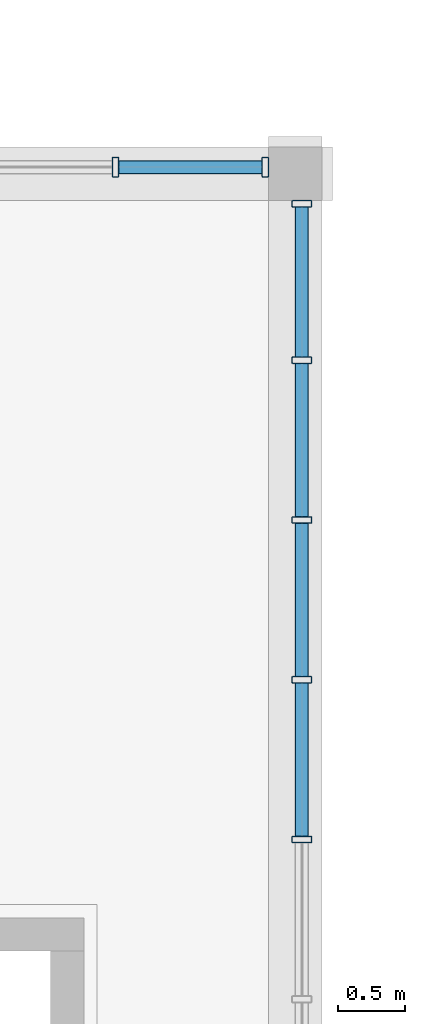
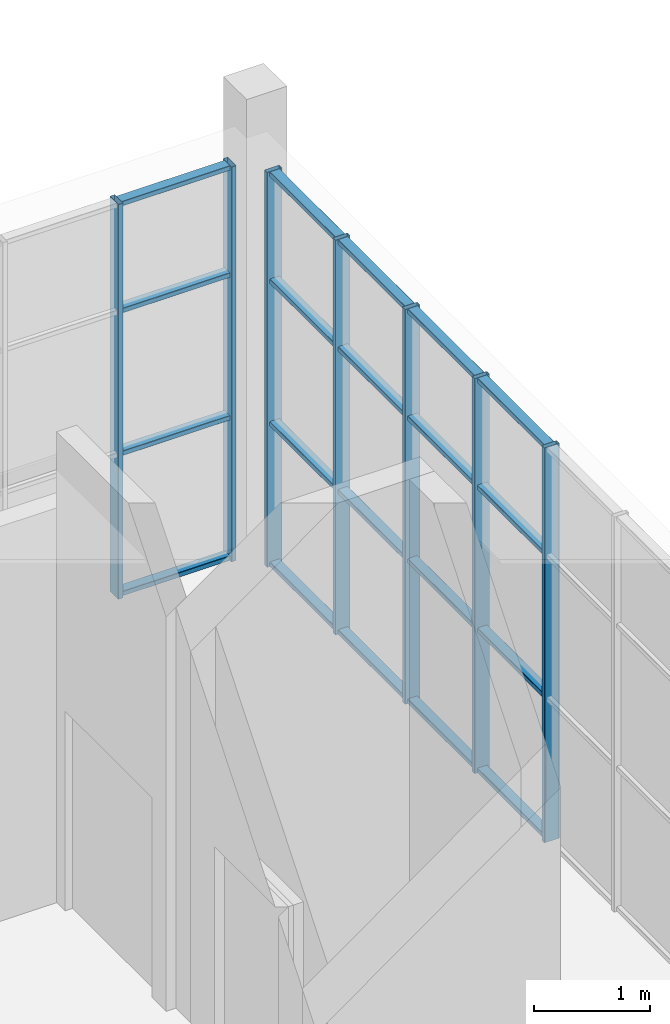
# One storey, part 40 of 125: 27 members, 2 elements without a shape of their own.
"""IFC4 building model written with IfcOpenShell, lengths in metres."""

import ifcopenshell
import ifcopenshell.guid

model = None  # the IFC model being written
_history = None  # IfcOwnerHistory: only IFC2X3 demands one
_inside = {}  # id of a spatial element -> (the spatial element, [elements in it])
_under = {}  # id of a project, library or spatial element -> (it, [spatial elements below it])
_declared = {}  # id of a project -> (the project, [libraries it declares])
_typed = {}  # id of a type object -> (the type object, [elements of that type])
_made_of = {}  # id of a material, layer set ... -> (it, [elements and type objects made of it])


def new_model(schema):
    """Start an empty IFC model of exactly this schema.

    Asked for "IFC4X3", IfcOpenShell would pick the latest addendum, in which some entities
    have other attributes; the version numbers below select the first issue.
    IFC2X3 requires an IfcOwnerHistory on every rooted entity: one is made here for all.
    """
    global model, _history
    if schema == "IFC4X3":
        model = ifcopenshell.file(schema_version=(4, 3, 0, 0))
    else:
        model = ifcopenshell.file(schema=schema)
    _inside.clear()
    _under.clear()
    _declared.clear()
    _typed.clear()
    _made_of.clear()
    _history = None
    if model.schema == "IFC2X3":
        org = make("IfcOrganization", Name="unknown")
        user = make(
            "IfcPersonAndOrganization",
            ThePerson=make("IfcPerson", FamilyName="unknown"),
            TheOrganization=org,
        )
        app = make(
            "IfcApplication",
            ApplicationDeveloper=org,
            Version="unknown",
            ApplicationFullName="unknown",
            ApplicationIdentifier="unknown",
        )
        _history = make(
            "IfcOwnerHistory",
            OwningUser=user,
            OwningApplication=app,
            ChangeAction="ADDED",
            CreationDate=0,
        )
    return model


def make(cls, **values):
    """One entity of the class cls with the attributes given. An attribute that is None is left unset."""
    return model.create_entity(
        cls, **{name: value for name, value in values.items() if value is not None}
    )


def rooted(cls, **values):
    """An entity with a GlobalId (a new one), such as an element, a storey or a relation."""
    return make(cls, GlobalId=ifcopenshell.guid.new(), OwnerHistory=_history, **values)


def si_unit(unit_type, name, prefix=None):
    """IfcSIUnit, for example si_unit("LENGTHUNIT", "METRE", prefix="MILLI")."""
    return make("IfcSIUnit", UnitType=unit_type, Prefix=prefix, Name=name)


def assignment(units):
    """IfcUnitAssignment: the units of a project."""
    return None if units is None else make("IfcUnitAssignment", Units=units)


def point(xyz):
    """IfcCartesianPoint."""
    return None if xyz is None else make("IfcCartesianPoint", Coordinates=xyz)


def direction(xyz):
    """IfcDirection."""
    return None if xyz is None else make("IfcDirection", DirectionRatios=xyz)


def frame(location, z_axis=None, x_axis=None):
    """IfcAxis2Placement3D, a coordinate frame: its origin and axes. An axis left out is left unset."""
    return make(
        "IfcAxis2Placement3D",
        Location=point(location),
        Axis=direction(z_axis),
        RefDirection=direction(x_axis),
    )


def frame_2d(location, x_axis=None):
    """IfcAxis2Placement2D, a coordinate frame in the plane: its origin and x axis."""
    return make(
        "IfcAxis2Placement2D", Location=point(location), RefDirection=direction(x_axis)
    )


def origin():
    """The frame at (0, 0, 0) with its axes left unset."""
    return frame((0.0, 0.0, 0.0))


def origin_2d():
    """The frame at (0, 0) in the plane with its x axis left unset."""
    return frame_2d((0.0, 0.0))


def place(relative_to, where):
    """IfcLocalPlacement: puts the frame where relative to a parent placement (None: the world)."""
    return make(
        "IfcLocalPlacement", PlacementRelTo=relative_to, RelativePlacement=where
    )


def context(
    kind, dimensions, precision=None, world=None, true_north=None, identifier=None
):
    """IfcGeometricRepresentationContext, for example the 3D "Model" context."""
    return make(
        "IfcGeometricRepresentationContext",
        ContextIdentifier=identifier,
        ContextType=kind,
        CoordinateSpaceDimension=dimensions,
        Precision=precision,
        WorldCoordinateSystem=world,
        TrueNorth=true_north,
    )


def subcontext(parent, identifier, kind, view, scale=None):
    """IfcGeometricRepresentationSubContext, for example "Body" below "Model"."""
    return make(
        "IfcGeometricRepresentationSubContext",
        ContextIdentifier=identifier,
        ContextType=kind,
        ParentContext=parent,
        TargetScale=scale,
        TargetView=view,
    )


def project(units=None, contexts=None):
    """IfcProject with its units and contexts."""
    return rooted(
        "IfcProject",
        Name="project",
        RepresentationContexts=contexts,
        UnitsInContext=assignment(units),
    )


def spatial(cls, under=None, at=None, **own):
    """A site, building, storey or space (cls), placed at a placement, below another one or the project."""
    s = rooted(cls, ObjectPlacement=at, **own)
    if under is not None:
        _under.setdefault(under.id(), (under, []))[1].append(s)
    return s


def profile(cls, at=None, kind="AREA", **sizes):
    """A parametric profile (cls). Its sizes go by their IFC names, for example OverallWidth=200.0."""
    return make(cls, ProfileType=kind, Position=at, **sizes)


def hollow_rectangle(**sizes):
    """IfcRectangleHollowProfileDef."""
    return profile("IfcRectangleHollowProfileDef", **sizes)


def extrude(swept, where, along, depth):
    """IfcExtrudedAreaSolid: the profile swept, set in the frame where, extruded along a direction by depth."""
    return make(
        "IfcExtrudedAreaSolid",
        SweptArea=swept,
        Position=where,
        ExtrudedDirection=direction(along),
        Depth=depth,
    )


def shape(context_of_items, identifier, shape_type, items):
    """IfcShapeRepresentation: the items that make up one representation, for example the "Body"."""
    return make(
        "IfcShapeRepresentation",
        ContextOfItems=context_of_items,
        RepresentationIdentifier=identifier,
        RepresentationType=shape_type,
        Items=items,
    )


def material(Name=None, Category=None):
    """IfcMaterial."""
    return make("IfcMaterial", Name=Name, Category=Category)


def material_profile(
    of_material, cross_section, Name=None, Category=None, Priority=None
):
    """IfcMaterialProfile: a cross section and its material."""
    return make(
        "IfcMaterialProfile",
        Name=Name,
        Material=of_material,
        Profile=cross_section,
        Priority=Priority,
        Category=Category,
    )


def profile_set(profiles, Name=None, composite=None):
    """IfcMaterialProfileSet."""
    return make(
        "IfcMaterialProfileSet",
        Name=Name,
        MaterialProfiles=profiles,
        CompositeProfile=composite,
    )


def made_of(thing, what):
    """Note that an element or type object is made of a material, layer set ...; save() writes the relation."""
    if what is not None:
        _made_of.setdefault(what.id(), (what, []))[1].append(thing)
    return thing


def type_object(cls, material=None, **own):
    """A type object (cls), such as IfcWallType, which elements share."""
    return made_of(rooted(cls, **own), material)


def element(
    cls,
    number,
    at=None,
    inside=None,
    cuts=None,
    type_object=None,
    material=None,
    context=None,
    identifier="Body",
    shape_type=None,
    held_by="IfcProductDefinitionShape",
    body=None,
    shapes=None,
    **own,
):
    """One element of the class cls, such as IfcWall. Its Tag is "e" and its number.

    at: its placement. inside: the storey or other place that contains it. cuts: it is an
    opening in that element (IfcRelVoidsElement). A single representation is given by context,
    identifier, shape_type and body (its items); several are given by shapes. held_by: the class
    of the entity that holds the representations. save() writes the other relations.
    """
    e = rooted(cls, Tag="e%d" % number, ObjectPlacement=at, **own)
    if body is not None:
        shapes = [shape(context, identifier, shape_type, body)]
    if shapes is not None:
        e.Representation = make(held_by, Representations=shapes)
    if inside is not None:
        _inside.setdefault(inside.id(), (inside, []))[1].append(e)
    if cuts is not None:
        rooted(
            "IfcRelVoidsElement", RelatingBuildingElement=cuts, RelatedOpeningElement=e
        )
    if type_object is not None:
        _typed.setdefault(type_object.id(), (type_object, []))[1].append(e)
    return made_of(e, material)


def aggregate(whole, parts):
    """IfcRelAggregates: a whole, such as a stair, and the parts it consists of."""
    return rooted("IfcRelAggregates", RelatingObject=whole, RelatedObjects=parts)


def save(model, path):
    """Write the relations noted so far, then the file.

    IfcRelAggregates (storeys below a building ...), IfcRelContainedInSpatialStructure (elements
    in a storey), IfcRelDefinesByType, IfcRelAssociatesMaterial and IfcRelDeclares: one each for
    every whole, place, type object, material and project.
    """
    for whole, parts in _under.values():
        aggregate(whole, parts)
    for where, things in _inside.values():
        rooted(
            "IfcRelContainedInSpatialStructure",
            RelatedElements=things,
            RelatingStructure=where,
        )
    for kind, things in _typed.values():
        rooted("IfcRelDefinesByType", RelatedObjects=things, RelatingType=kind)
    for what, things in _made_of.values():
        rooted("IfcRelAssociatesMaterial", RelatedObjects=things, RelatingMaterial=what)
    for by, libraries in _declared.values():
        rooted("IfcRelDeclares", RelatingContext=by, RelatedDefinitions=libraries)
    model.write(path)


model = new_model("IFC4")

# Units and contexts
model_context = context("Model", 3, precision=1e-05, world=origin(), true_north=direction((0.0, 1.0)))
body_context = subcontext(model_context, "Body", "Model", "MODEL_VIEW")
ifc_project = project(units=[si_unit("LENGTHUNIT", "METRE"), si_unit("AREAUNIT", "SQUARE_METRE"), si_unit("VOLUMEUNIT", "CUBIC_METRE"), si_unit("PLANEANGLEUNIT", "RADIAN"), si_unit("MASSUNIT", "GRAM", prefix="KILO")], contexts=[model_context])

# Site, building, storey
site_placement = place(None, origin())
site = spatial("IfcSite", under=ifc_project, at=site_placement, CompositionType="ELEMENT")
building_placement = place(site_placement, origin())
building = spatial("IfcBuilding", under=site, at=building_placement, Name="Sun Court Science Centre", CompositionType="ELEMENT")
storey_placement = place(building_placement, frame((0.0, 0.0, 6.0)))
storey = spatial("IfcBuildingStorey", under=building, at=storey_placement, Name="L01", CompositionType="ELEMENT", Elevation=6.0)

# Curtain wall, members
ifc_material_1 = material(Name="Aluminium EN AW-6063 T6", Category="aluminium")
curtain_wall_type = type_object("IfcCurtainWallType", Name="Pavilion curtain wall 1200", PredefinedType="NOTDEFINED", material=ifc_material_1)
curtain_wall_1_placement = place(storey_placement, origin())
curtain_wall_1 = element("IfcCurtainWall", 1, at=curtain_wall_1_placement, inside=storey, type_object=curtain_wall_type, Name="Curtain wall V5 N L01 03", PredefinedType="NOTDEFINED")
ifc_material_2 = material(Name="Aluminium EN AW-6063 T6", Category="aluminium")
ifc_material_profile_1 = material_profile(ifc_material_2, hollow_rectangle(XDim=0.050048828125, YDim=0.14990234375, WallThickness=0.00390625, InnerFilletRadius=0.00390625, OuterFilletRadius=0.006103515625, at=origin_2d()), Name="AL 50x150x4")
ifc_profile_set_1 = profile_set([ifc_material_profile_1], Name="Aluminium EN AW-6063 T6")
member_type_1 = type_object("IfcMemberType", Name="Curtain wall mullion AL 50x150", PredefinedType="MULLION", material=ifc_profile_set_1)
member_1_placement = place(storey_placement, frame((64.449951171875, 49.85009765625, 0.0), z_axis=(0.0, 0.0, 1.0), x_axis=(1.0, 0.0, 0.0)))
member_1 = element("IfcMember", 2, at=member_1_placement, type_object=member_type_1, Name="CW3-16 mullion 6", PredefinedType="MULLION", context=body_context, shape_type="SweptSolid", body=[
    extrude(hollow_rectangle(XDim=0.050048828125, YDim=0.14990234375, WallThickness=0.00390625, InnerFilletRadius=0.00390625, OuterFilletRadius=0.006103515625, at=origin_2d()), origin(), (0.0, 0.0, 1.0), 4.14990234375),
])
member_2_placement = place(storey_placement, frame((65.574951171875, 49.85009765625, 0.0), z_axis=(0.0, 0.0, 1.0), x_axis=(1.0, 0.0, 0.0)))
member_2 = element("IfcMember", 3, at=member_2_placement, type_object=member_type_1, Name="CW3-16 mullion 7", PredefinedType="MULLION", context=body_context, shape_type="SweptSolid", body=[
    extrude(hollow_rectangle(XDim=0.050048828125, YDim=0.14990234375, WallThickness=0.00390625, InnerFilletRadius=0.00390625, OuterFilletRadius=0.006103515625, at=origin_2d()), origin(), (0.0, 0.0, 1.0), 4.14990234375),
])

curtain_wall_2_placement = place(storey_placement, origin())
curtain_wall_2 = element("IfcCurtainWall", 4, at=curtain_wall_2_placement, inside=storey, type_object=curtain_wall_type, Name="Curtain wall V5 E L01 01", PredefinedType="NOTDEFINED")
member_3_placement = place(storey_placement, frame((65.85009765625, 44.800048828125, 0.0), z_axis=(0.0, 0.0, 1.0), x_axis=(0.0, -1.0, 0.0)))
member_3 = element("IfcMember", 5, at=member_3_placement, type_object=member_type_1, Name="CW3-21 mullion 5", PredefinedType="MULLION", context=body_context, shape_type="SweptSolid", body=[
    extrude(hollow_rectangle(XDim=0.050048828125, YDim=0.14990234375, WallThickness=0.00390625, InnerFilletRadius=0.00390625, OuterFilletRadius=0.006103515625, at=origin_2d()), origin(), (0.0, 0.0, 1.0), 4.14990234375),
])
member_4_placement = place(storey_placement, frame((65.85009765625, 46.0, 0.0), z_axis=(0.0, 0.0, 1.0), x_axis=(0.0, -1.0, 0.0)))
member_4 = element("IfcMember", 6, at=member_4_placement, type_object=member_type_1, Name="CW3-21 mullion 4", PredefinedType="MULLION", context=body_context, shape_type="SweptSolid", body=[
    extrude(hollow_rectangle(XDim=0.050048828125, YDim=0.14990234375, WallThickness=0.00390625, InnerFilletRadius=0.00390625, OuterFilletRadius=0.006103515625, at=origin_2d()), origin(), (0.0, 0.0, 1.0), 4.14990234375),
])
member_5_placement = place(storey_placement, frame((65.85009765625, 47.199951171875, 0.0), z_axis=(0.0, 0.0, 1.0), x_axis=(0.0, -1.0, 0.0)))
member_5 = element("IfcMember", 7, at=member_5_placement, type_object=member_type_1, Name="CW3-21 mullion 3", PredefinedType="MULLION", context=body_context, shape_type="SweptSolid", body=[
    extrude(hollow_rectangle(XDim=0.050048828125, YDim=0.14990234375, WallThickness=0.00390625, InnerFilletRadius=0.00390625, OuterFilletRadius=0.006103515625, at=origin_2d()), origin(), (0.0, 0.0, 1.0), 4.14990234375),
])
member_6_placement = place(storey_placement, frame((65.85009765625, 48.39990234375, 0.0), z_axis=(0.0, 0.0, 1.0), x_axis=(0.0, -1.0, 0.0)))
member_6 = element("IfcMember", 8, at=member_6_placement, type_object=member_type_1, Name="CW3-21 mullion 2", PredefinedType="MULLION", context=body_context, shape_type="SweptSolid", body=[
    extrude(hollow_rectangle(XDim=0.050048828125, YDim=0.14990234375, WallThickness=0.00390625, InnerFilletRadius=0.00390625, OuterFilletRadius=0.006103515625, at=origin_2d()), origin(), (0.0, 0.0, 1.0), 4.14990234375),
])
member_7_placement = place(storey_placement, frame((65.85009765625, 49.574951171875, 0.0), z_axis=(0.0, 0.0, 1.0), x_axis=(0.0, -1.0, 0.0)))
member_7 = element("IfcMember", 9, at=member_7_placement, type_object=member_type_1, Name="CW3-21 mullion 1", PredefinedType="MULLION", context=body_context, shape_type="SweptSolid", body=[
    extrude(hollow_rectangle(XDim=0.050048828125, YDim=0.14990234375, WallThickness=0.00390625, InnerFilletRadius=0.00390625, OuterFilletRadius=0.006103515625, at=origin_2d()), origin(), (0.0, 0.0, 1.0), 4.14990234375),
])

# Member
ifc_material_3 = material(Name="Aluminium EN AW-6063 T6", Category="aluminium")
ifc_material_profile_2 = material_profile(ifc_material_3, hollow_rectangle(XDim=0.050048828125, YDim=0.10009765625, WallThickness=0.00390625, InnerFilletRadius=0.00390625, OuterFilletRadius=0.006103515625, at=origin_2d()), Name="AL 50x100x4")
ifc_profile_set_2 = profile_set([ifc_material_profile_2], Name="Aluminium EN AW-6063 T6")
member_type_2 = type_object("IfcMemberType", Name="Curtain wall transom AL 50x100", PredefinedType="USERDEFINED", material=ifc_profile_set_2)
member_8_placement = place(storey_placement, frame((64.47509765625, 49.85009765625, 0.02490234375), z_axis=(1.0, 0.0, 0.0), x_axis=(0.0, 0.0, 1.0)))
member_8 = element("IfcMember", 10, at=member_8_placement, type_object=member_type_2, Name="CW3-16 transom 6.1", ObjectType="TRANSOM", PredefinedType="USERDEFINED", context=body_context, shape_type="SweptSolid", body=[
    extrude(hollow_rectangle(XDim=0.050048828125, YDim=0.10009765625, WallThickness=0.00390625, InnerFilletRadius=0.00390625, OuterFilletRadius=0.006103515625, at=origin_2d()), origin(), (0.0, 0.0, 1.0), 1.074951171875),
])

member_9_placement = place(storey_placement, frame((64.47509765625, 49.85009765625, 1.5), z_axis=(1.0, 0.0, 0.0), x_axis=(0.0, 0.0, 1.0)))
member_9 = element("IfcMember", 11, at=member_9_placement, type_object=member_type_2, Name="CW3-16 transom 6.2", ObjectType="TRANSOM", PredefinedType="USERDEFINED", context=body_context, shape_type="SweptSolid", body=[
    extrude(hollow_rectangle(XDim=0.050048828125, YDim=0.10009765625, WallThickness=0.00390625, InnerFilletRadius=0.00390625, OuterFilletRadius=0.006103515625, at=origin_2d()), origin(), (0.0, 0.0, 1.0), 1.074951171875),
])

member_10_placement = place(storey_placement, frame((64.47509765625, 49.85009765625, 3.0), z_axis=(1.0, 0.0, 0.0), x_axis=(0.0, 0.0, 1.0)))
member_10 = element("IfcMember", 12, at=member_10_placement, type_object=member_type_2, Name="CW3-16 transom 6.3", ObjectType="TRANSOM", PredefinedType="USERDEFINED", context=body_context, shape_type="SweptSolid", body=[
    extrude(hollow_rectangle(XDim=0.050048828125, YDim=0.10009765625, WallThickness=0.00390625, InnerFilletRadius=0.00390625, OuterFilletRadius=0.006103515625, at=origin_2d()), origin(), (0.0, 0.0, 1.0), 1.074951171875),
])

member_11_placement = place(storey_placement, frame((64.47509765625, 49.85009765625, 4.125), z_axis=(1.0, 0.0, 0.0), x_axis=(0.0, 0.0, 1.0)))
member_11 = element("IfcMember", 13, at=member_11_placement, type_object=member_type_2, Name="CW3-16 transom 6.4", ObjectType="TRANSOM", PredefinedType="USERDEFINED", context=body_context, shape_type="SweptSolid", body=[
    extrude(hollow_rectangle(XDim=0.050048828125, YDim=0.10009765625, WallThickness=0.00390625, InnerFilletRadius=0.00390625, OuterFilletRadius=0.006103515625, at=origin_2d()), origin(), (0.0, 0.0, 1.0), 1.074951171875),
])

aggregate(curtain_wall_1, [member_1, member_2, member_8, member_9, member_10, member_11])

member_12_placement = place(storey_placement, frame((65.85009765625, 45.97509765625, 0.02490234375), z_axis=(0.0, -1.0, 0.0), x_axis=(0.0, 0.0, 1.0)))
member_12 = element("IfcMember", 14, at=member_12_placement, type_object=member_type_2, Name="CW3-21 transom 4.1", ObjectType="TRANSOM", PredefinedType="USERDEFINED", context=body_context, shape_type="SweptSolid", body=[
    extrude(hollow_rectangle(XDim=0.050048828125, YDim=0.10009765625, WallThickness=0.00390625, InnerFilletRadius=0.00390625, OuterFilletRadius=0.006103515625, at=origin_2d()), origin(), (0.0, 0.0, 1.0), 1.150146484375),
])

member_13_placement = place(storey_placement, frame((65.85009765625, 47.175048828125, 0.02490234375), z_axis=(0.0, -1.0, 0.0), x_axis=(0.0, 0.0, 1.0)))
member_13 = element("IfcMember", 15, at=member_13_placement, type_object=member_type_2, Name="CW3-21 transom 3.1", ObjectType="TRANSOM", PredefinedType="USERDEFINED", context=body_context, shape_type="SweptSolid", body=[
    extrude(hollow_rectangle(XDim=0.050048828125, YDim=0.10009765625, WallThickness=0.00390625, InnerFilletRadius=0.00390625, OuterFilletRadius=0.006103515625, at=origin_2d()), origin(), (0.0, 0.0, 1.0), 1.150146484375),
])

member_14_placement = place(storey_placement, frame((65.85009765625, 48.375, 0.02490234375), z_axis=(0.0, -1.0, 0.0), x_axis=(0.0, 0.0, 1.0)))
member_14 = element("IfcMember", 16, at=member_14_placement, type_object=member_type_2, Name="CW3-21 transom 2.1", ObjectType="TRANSOM", PredefinedType="USERDEFINED", context=body_context, shape_type="SweptSolid", body=[
    extrude(hollow_rectangle(XDim=0.050048828125, YDim=0.10009765625, WallThickness=0.00390625, InnerFilletRadius=0.00390625, OuterFilletRadius=0.006103515625, at=origin_2d()), origin(), (0.0, 0.0, 1.0), 1.14990234375),
])

member_15_placement = place(storey_placement, frame((65.85009765625, 49.550048828125, 0.02490234375), z_axis=(0.0, -1.0, 0.0), x_axis=(0.0, 0.0, 1.0)))
member_15 = element("IfcMember", 17, at=member_15_placement, type_object=member_type_2, Name="CW3-21 transom 1.1", ObjectType="TRANSOM", PredefinedType="USERDEFINED", context=body_context, shape_type="SweptSolid", body=[
    extrude(hollow_rectangle(XDim=0.050048828125, YDim=0.10009765625, WallThickness=0.00390625, InnerFilletRadius=0.00390625, OuterFilletRadius=0.006103515625, at=origin_2d()), origin(), (0.0, 0.0, 1.0), 1.125),
])

member_16_placement = place(storey_placement, frame((65.85009765625, 45.97509765625, 1.5), z_axis=(0.0, -1.0, 0.0), x_axis=(0.0, 0.0, 1.0)))
member_16 = element("IfcMember", 18, at=member_16_placement, type_object=member_type_2, Name="CW3-21 transom 4.2", ObjectType="TRANSOM", PredefinedType="USERDEFINED", context=body_context, shape_type="SweptSolid", body=[
    extrude(hollow_rectangle(XDim=0.050048828125, YDim=0.10009765625, WallThickness=0.00390625, InnerFilletRadius=0.00390625, OuterFilletRadius=0.006103515625, at=origin_2d()), origin(), (0.0, 0.0, 1.0), 1.150146484375),
])

member_17_placement = place(storey_placement, frame((65.85009765625, 47.175048828125, 1.5), z_axis=(0.0, -1.0, 0.0), x_axis=(0.0, 0.0, 1.0)))
member_17 = element("IfcMember", 19, at=member_17_placement, type_object=member_type_2, Name="CW3-21 transom 3.2", ObjectType="TRANSOM", PredefinedType="USERDEFINED", context=body_context, shape_type="SweptSolid", body=[
    extrude(hollow_rectangle(XDim=0.050048828125, YDim=0.10009765625, WallThickness=0.00390625, InnerFilletRadius=0.00390625, OuterFilletRadius=0.006103515625, at=origin_2d()), origin(), (0.0, 0.0, 1.0), 1.150146484375),
])

member_18_placement = place(storey_placement, frame((65.85009765625, 48.375, 1.5), z_axis=(0.0, -1.0, 0.0), x_axis=(0.0, 0.0, 1.0)))
member_18 = element("IfcMember", 20, at=member_18_placement, type_object=member_type_2, Name="CW3-21 transom 2.2", ObjectType="TRANSOM", PredefinedType="USERDEFINED", context=body_context, shape_type="SweptSolid", body=[
    extrude(hollow_rectangle(XDim=0.050048828125, YDim=0.10009765625, WallThickness=0.00390625, InnerFilletRadius=0.00390625, OuterFilletRadius=0.006103515625, at=origin_2d()), origin(), (0.0, 0.0, 1.0), 1.14990234375),
])

member_19_placement = place(storey_placement, frame((65.85009765625, 49.550048828125, 1.5), z_axis=(0.0, -1.0, 0.0), x_axis=(0.0, 0.0, 1.0)))
member_19 = element("IfcMember", 21, at=member_19_placement, type_object=member_type_2, Name="CW3-21 transom 1.2", ObjectType="TRANSOM", PredefinedType="USERDEFINED", context=body_context, shape_type="SweptSolid", body=[
    extrude(hollow_rectangle(XDim=0.050048828125, YDim=0.10009765625, WallThickness=0.00390625, InnerFilletRadius=0.00390625, OuterFilletRadius=0.006103515625, at=origin_2d()), origin(), (0.0, 0.0, 1.0), 1.125),
])

member_20_placement = place(storey_placement, frame((65.85009765625, 45.97509765625, 3.0), z_axis=(0.0, -1.0, 0.0), x_axis=(0.0, 0.0, 1.0)))
member_20 = element("IfcMember", 22, at=member_20_placement, type_object=member_type_2, Name="CW3-21 transom 4.3", ObjectType="TRANSOM", PredefinedType="USERDEFINED", context=body_context, shape_type="SweptSolid", body=[
    extrude(hollow_rectangle(XDim=0.050048828125, YDim=0.10009765625, WallThickness=0.00390625, InnerFilletRadius=0.00390625, OuterFilletRadius=0.006103515625, at=origin_2d()), origin(), (0.0, 0.0, 1.0), 1.150146484375),
])

member_21_placement = place(storey_placement, frame((65.85009765625, 47.175048828125, 3.0), z_axis=(0.0, -1.0, 0.0), x_axis=(0.0, 0.0, 1.0)))
member_21 = element("IfcMember", 23, at=member_21_placement, type_object=member_type_2, Name="CW3-21 transom 3.3", ObjectType="TRANSOM", PredefinedType="USERDEFINED", context=body_context, shape_type="SweptSolid", body=[
    extrude(hollow_rectangle(XDim=0.050048828125, YDim=0.10009765625, WallThickness=0.00390625, InnerFilletRadius=0.00390625, OuterFilletRadius=0.006103515625, at=origin_2d()), origin(), (0.0, 0.0, 1.0), 1.150146484375),
])

member_22_placement = place(storey_placement, frame((65.85009765625, 48.375, 3.0), z_axis=(0.0, -1.0, 0.0), x_axis=(0.0, 0.0, 1.0)))
member_22 = element("IfcMember", 24, at=member_22_placement, type_object=member_type_2, Name="CW3-21 transom 2.3", ObjectType="TRANSOM", PredefinedType="USERDEFINED", context=body_context, shape_type="SweptSolid", body=[
    extrude(hollow_rectangle(XDim=0.050048828125, YDim=0.10009765625, WallThickness=0.00390625, InnerFilletRadius=0.00390625, OuterFilletRadius=0.006103515625, at=origin_2d()), origin(), (0.0, 0.0, 1.0), 1.14990234375),
])

member_23_placement = place(storey_placement, frame((65.85009765625, 49.550048828125, 3.0), z_axis=(0.0, -1.0, 0.0), x_axis=(0.0, 0.0, 1.0)))
member_23 = element("IfcMember", 25, at=member_23_placement, type_object=member_type_2, Name="CW3-21 transom 1.3", ObjectType="TRANSOM", PredefinedType="USERDEFINED", context=body_context, shape_type="SweptSolid", body=[
    extrude(hollow_rectangle(XDim=0.050048828125, YDim=0.10009765625, WallThickness=0.00390625, InnerFilletRadius=0.00390625, OuterFilletRadius=0.006103515625, at=origin_2d()), origin(), (0.0, 0.0, 1.0), 1.125),
])

member_24_placement = place(storey_placement, frame((65.85009765625, 45.97509765625, 4.125), z_axis=(0.0, -1.0, 0.0), x_axis=(0.0, 0.0, 1.0)))
member_24 = element("IfcMember", 26, at=member_24_placement, type_object=member_type_2, Name="CW3-21 transom 4.4", ObjectType="TRANSOM", PredefinedType="USERDEFINED", context=body_context, shape_type="SweptSolid", body=[
    extrude(hollow_rectangle(XDim=0.050048828125, YDim=0.10009765625, WallThickness=0.00390625, InnerFilletRadius=0.00390625, OuterFilletRadius=0.006103515625, at=origin_2d()), origin(), (0.0, 0.0, 1.0), 1.150146484375),
])

member_25_placement = place(storey_placement, frame((65.85009765625, 47.175048828125, 4.125), z_axis=(0.0, -1.0, 0.0), x_axis=(0.0, 0.0, 1.0)))
member_25 = element("IfcMember", 27, at=member_25_placement, type_object=member_type_2, Name="CW3-21 transom 3.4", ObjectType="TRANSOM", PredefinedType="USERDEFINED", context=body_context, shape_type="SweptSolid", body=[
    extrude(hollow_rectangle(XDim=0.050048828125, YDim=0.10009765625, WallThickness=0.00390625, InnerFilletRadius=0.00390625, OuterFilletRadius=0.006103515625, at=origin_2d()), origin(), (0.0, 0.0, 1.0), 1.150146484375),
])

member_26_placement = place(storey_placement, frame((65.85009765625, 48.375, 4.125), z_axis=(0.0, -1.0, 0.0), x_axis=(0.0, 0.0, 1.0)))
member_26 = element("IfcMember", 28, at=member_26_placement, type_object=member_type_2, Name="CW3-21 transom 2.4", ObjectType="TRANSOM", PredefinedType="USERDEFINED", context=body_context, shape_type="SweptSolid", body=[
    extrude(hollow_rectangle(XDim=0.050048828125, YDim=0.10009765625, WallThickness=0.00390625, InnerFilletRadius=0.00390625, OuterFilletRadius=0.006103515625, at=origin_2d()), origin(), (0.0, 0.0, 1.0), 1.14990234375),
])

member_27_placement = place(storey_placement, frame((65.85009765625, 49.550048828125, 4.125), z_axis=(0.0, -1.0, 0.0), x_axis=(0.0, 0.0, 1.0)))
member_27 = element("IfcMember", 29, at=member_27_placement, type_object=member_type_2, Name="CW3-21 transom 1.4", ObjectType="TRANSOM", PredefinedType="USERDEFINED", context=body_context, shape_type="SweptSolid", body=[
    extrude(hollow_rectangle(XDim=0.050048828125, YDim=0.10009765625, WallThickness=0.00390625, InnerFilletRadius=0.00390625, OuterFilletRadius=0.006103515625, at=origin_2d()), origin(), (0.0, 0.0, 1.0), 1.125),
])

aggregate(curtain_wall_2, [member_3, member_4, member_5, member_6, member_7, member_12, member_13, member_14, member_15, member_16, member_17, member_18, member_19, member_20, member_21, member_22, member_23, member_24, member_25, member_26, member_27])

save(model, "model.ifc")
